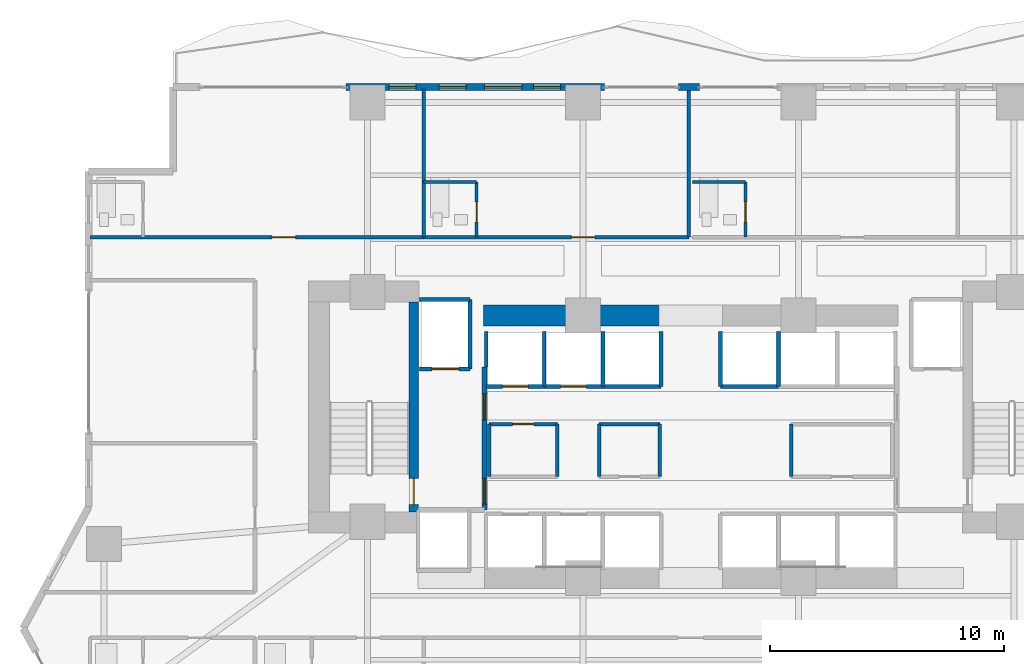
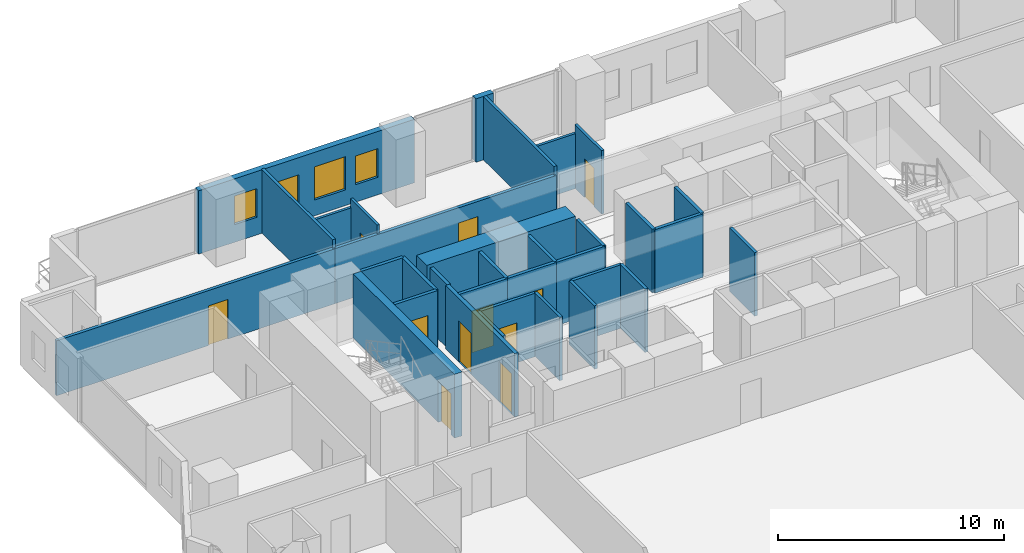
# One storey, part 21 of 28: 33 walls, 11 doors, 4 windows, 15 openings.
"""IFC4 building model written with IfcOpenShell, lengths in metres."""

from ifc_helpers import new_model, si_unit, direction, frame, frame_2d, origin, place, context, subcontext, project, spatial, rectangle, extrude, material, layer, layer_set, type_object, element, fill, save


model = new_model("IFC4")

# Units and contexts
model_context = context("Model", 3, precision=1e-05, world=origin(), true_north=direction((0.0, 1.0)))
body_context = subcontext(model_context, "Body", "Model", "MODEL_VIEW")
ifc_project = project(units=[si_unit("LENGTHUNIT", "METRE"), si_unit("AREAUNIT", "SQUARE_METRE"), si_unit("VOLUMEUNIT", "CUBIC_METRE"), si_unit("PLANEANGLEUNIT", "RADIAN"), si_unit("MASSUNIT", "GRAM", prefix="KILO")], contexts=[model_context])

# Site, building, storey
site_placement = place(None, origin())
site = spatial("IfcSite", under=ifc_project, at=site_placement, CompositionType="ELEMENT")
building_placement = place(site_placement, origin())
building = spatial("IfcBuilding", under=site, at=building_placement, Name="Zuhayl Quay Hotel", CompositionType="ELEMENT")
storey_placement = place(building_placement, frame((0.0, 0.0, 71.39990234375)))
storey = spatial("IfcBuildingStorey", under=building, at=storey_placement, Name="L17", CompositionType="ELEMENT", Elevation=71.39990234375)

# Wall
ifc_material_1 = material(Name="Concrete C70/85", Category="concrete")
ifc_layer_1 = layer(ifc_material_1, 0.89990234375, Name="Concrete C70/85", Category="concrete")
ifc_layer_set_1 = layer_set([ifc_layer_1], Name="Concrete C70/85")
wall_type_1 = type_object("IfcWallType", Name="WL_CORE_900", PredefinedType="SHEAR", material=ifc_layer_set_1)
wall_1_placement = place(storey_placement, frame((-8.85009765625, 13.35009765625, 0.0), z_axis=(0.0, 0.0, 1.0), x_axis=(1.0, 0.0, 0.0)))
element("IfcWall", 1, at=wall_1_placement, inside=storey, type_object=wall_type_1, Name="L17 Core Shear Wall CW_NC_W", PredefinedType="SHEAR", context=body_context, shape_type="SweptSolid", body=[
    extrude(rectangle(XDim=7.60009765625, YDim=0.89990234375, at=frame_2d((3.800048828125, 0.0))), origin(), (0.0, 0.0, 1.0), 3.43017578125),
])

# Wall, openings, windows
ifc_material_2 = material(Name="Precast concrete C45/55", Category="concrete")
ifc_layer_2 = layer(ifc_material_2, 0.300048828125, Name="Precast concrete C45/55", Category="concrete")
ifc_layer_set_2 = layer_set([ifc_layer_2], Name="Precast concrete C45/55")
wall_type_2 = type_object("IfcWallType", Name="WL_EXT_300", PredefinedType="STANDARD", material=ifc_layer_set_2)
wall_2_placement = place(storey_placement, frame((-14.719970703125, 23.10009765625, 0.0), z_axis=(0.0, 0.0, 1.0), x_axis=(1.0, 0.0, 0.0)))
wall_2 = element("IfcWall", 2, at=wall_2_placement, inside=storey, type_object=wall_type_2, Name="L17 Exterior Precast Wall ENV_L17_N_EW2", PredefinedType="STANDARD", context=body_context, shape_type="SweptSolid", body=[
    extrude(rectangle(XDim=11.0400390625, YDim=0.300048828125, at=frame_2d((5.52001953125, 0.0))), origin(), (0.0, 0.0, 1.0), 3.43017578125),
])
opening_1_placement = place(wall_2_placement, frame((5.916015625, 0.0, 0.85009765625)))
opening_1 = element("IfcOpeningElement", 3, at=opening_1_placement, cuts=wall_2, Name="Opening W01", PredefinedType="OPENING", context=body_context, shape_type="SweptSolid", body=[
    extrude(rectangle(XDim=1.60009765625, YDim=1.800048828125, at=frame_2d((0.800048828125, 0.89990234375))), frame((0.0, 0.159912109375, 0.0), z_axis=(0.0, -1.0, 0.0), x_axis=(1.0, 0.0, 0.0)), (0.0, 0.0, 1.0), 0.320068359375),
])
opening_2_placement = place(wall_2_placement, frame((1.8349609375, 0.0, 0.949951171875)))
opening_2 = element("IfcOpeningElement", 4, at=opening_2_placement, cuts=wall_2, Name="Opening W01N", PredefinedType="OPENING", context=body_context, shape_type="SweptSolid", body=[
    extrude(rectangle(XDim=1.14990234375, YDim=1.550048828125, at=frame_2d((0.574951171875, 0.77490234375))), frame((0.0, 0.159912109375, 0.0), z_axis=(0.0, -1.0, 0.0), x_axis=(1.0, 0.0, 0.0)), (0.0, 0.0, 1.0), 0.320068359375),
])
opening_3_placement = place(wall_2_placement, frame((3.97802734375, 0.0, 0.949951171875)))
opening_3 = element("IfcOpeningElement", 5, at=opening_3_placement, cuts=wall_2, Name="Opening W01N", PredefinedType="OPENING", context=body_context, shape_type="SweptSolid", body=[
    extrude(rectangle(XDim=1.14990234375, YDim=1.550048828125, at=frame_2d((0.574951171875, 0.77490234375))), frame((0.0, 0.159912109375, 0.0), z_axis=(0.0, -1.0, 0.0), x_axis=(1.0, 0.0, 0.0)), (0.0, 0.0, 1.0), 0.320068359375),
])
opening_4_placement = place(wall_2_placement, frame((8.01806640625, 0.0, 0.949951171875)))
opening_4 = element("IfcOpeningElement", 6, at=opening_4_placement, cuts=wall_2, Name="Opening W01N", PredefinedType="OPENING", context=body_context, shape_type="SweptSolid", body=[
    extrude(rectangle(XDim=1.14990234375, YDim=1.550048828125, at=frame_2d((0.574951171875, 0.77490234375))), frame((0.0, 0.159912109375, 0.0), z_axis=(0.0, -1.0, 0.0), x_axis=(1.0, 0.0, 0.0)), (0.0, 0.0, 1.0), 0.320068359375),
])
ifc_material_3 = material(Name="Dark Ceramic-Fritted Solar Glass", Category="glass")
window_type_1 = type_object("IfcWindowType", Name="WN_NOTCH_1350", PartitioningType="SINGLE_PANEL", PredefinedType="WINDOW", material=ifc_material_3)
window_1_placement = place(opening_2_placement, origin())
window_1 = element("IfcWindow", 7, at=window_1_placement, inside=storey, type_object=window_type_1, Name="L17 Operable Facade Window 2-1", OverallHeight=1.550048828125, OverallWidth=1.14990234375, PartitioningType="SINGLE_PANEL", PredefinedType="WINDOW", context=body_context, shape_type="SweptSolid", body=[
    extrude(rectangle(XDim=1.14990234375, YDim=1.550048828125, at=frame_2d((0.574951171875, 0.77490234375))), frame((0.0, 0.030029296875, 0.0), z_axis=(0.0, -1.0, 0.0), x_axis=(1.0, 0.0, 0.0)), (0.0, 0.0, 1.0), 0.06005859375),
])
fill(opening_2, window_1)
window_2_placement = place(opening_3_placement, origin())
window_2 = element("IfcWindow", 8, at=window_2_placement, inside=storey, type_object=window_type_1, Name="L17 Operable Facade Window 2-2", OverallHeight=1.550048828125, OverallWidth=1.14990234375, PartitioningType="SINGLE_PANEL", PredefinedType="WINDOW", context=body_context, shape_type="SweptSolid", body=[
    extrude(rectangle(XDim=1.14990234375, YDim=1.550048828125, at=frame_2d((0.574951171875, 0.77490234375))), frame((0.0, 0.030029296875, 0.0), z_axis=(0.0, -1.0, 0.0), x_axis=(1.0, 0.0, 0.0)), (0.0, 0.0, 1.0), 0.06005859375),
])
fill(opening_3, window_2)
window_3_placement = place(opening_4_placement, origin())
window_3 = element("IfcWindow", 9, at=window_3_placement, inside=storey, type_object=window_type_1, Name="L17 Operable Facade Window 2-3", OverallHeight=1.550048828125, OverallWidth=1.14990234375, PartitioningType="SINGLE_PANEL", PredefinedType="WINDOW", context=body_context, shape_type="SweptSolid", body=[
    extrude(rectangle(XDim=1.14990234375, YDim=1.550048828125, at=frame_2d((0.574951171875, 0.77490234375))), frame((0.0, 0.030029296875, 0.0), z_axis=(0.0, -1.0, 0.0), x_axis=(1.0, 0.0, 0.0)), (0.0, 0.0, 1.0), 0.06005859375),
])
fill(opening_4, window_3)
window_type_2 = type_object("IfcWindowType", Name="WN_OPERABLE_1600", PartitioningType="DOUBLE_PANEL_VERTICAL", PredefinedType="WINDOW", material=ifc_material_3)
window_4_placement = place(opening_1_placement, origin())
window_4 = element("IfcWindow", 10, at=window_4_placement, inside=storey, type_object=window_type_2, Name="L17 North Operable Casement Window", OverallHeight=1.800048828125, OverallWidth=1.60009765625, PartitioningType="SINGLE_PANEL", PredefinedType="WINDOW", context=body_context, shape_type="SweptSolid", body=[
    extrude(rectangle(XDim=1.60009765625, YDim=1.800048828125, at=frame_2d((0.800048828125, 0.89990234375))), frame((0.0, 0.030029296875, 0.0), z_axis=(0.0, -1.0, 0.0), x_axis=(1.0, 0.0, 0.0)), (0.0, 0.0, 1.0), 0.06005859375),
])
fill(opening_1, window_4)

# Wall
wall_3_placement = place(storey_placement, frame((-0.530029296875, 23.10009765625, 0.0), z_axis=(0.0, 0.0, 1.0), x_axis=(1.0, 0.0, 0.0)))
element("IfcWall", 11, at=wall_3_placement, inside=storey, type_object=wall_type_2, Name="L17 Exterior Precast Wall ENV_L17_N_EW3", PredefinedType="STANDARD", context=body_context, shape_type="SweptSolid", body=[
    extrude(rectangle(XDim=0.900146484375, YDim=0.300048828125, at=frame_2d((0.4501953125, 0.0))), origin(), (0.0, 0.0, 1.0), 3.43017578125),
])

# Wall, opening, door
ifc_material_4 = material(Name="Acoustic Gypsum Partition STC-58")
ifc_layer_3 = layer(ifc_material_4, 0.14990234375, Name="Acoustic Gypsum Partition STC-58")
ifc_layer_set_3 = layer_set([ifc_layer_3], Name="Acoustic Gypsum Partition STC-58")
wall_type_3 = type_object("IfcWallType", Name="WL_PART_150", PredefinedType="PARTITIONING", material=ifc_layer_set_3)
wall_4_placement = place(storey_placement, frame((-8.610107421875, 8.719970703125, 0.0), z_axis=(0.0, 0.0, 1.0), x_axis=(1.0, 0.0, 0.0)))
wall_4 = element("IfcWall", 12, at=wall_4_placement, inside=storey, type_object=wall_type_3, Name="L17 Partition IW_L17_CORE_HK_N", PredefinedType="PARTITIONING", context=body_context, shape_type="SweptSolid", body=[
    extrude(rectangle(XDim=2.920166015625, YDim=0.14990234375, at=frame_2d((1.4599609375, 0.0))), origin(), (0.0, 0.0, 1.0), 3.43017578125),
])
opening_5_placement = place(wall_4_placement, frame((1.010009765625, 0.0, 0.0)))
opening_5 = element("IfcOpeningElement", 13, at=opening_5_placement, cuts=wall_4, Name="Opening D06", PredefinedType="OPENING", context=body_context, shape_type="SweptSolid", body=[
    extrude(rectangle(XDim=0.89990234375, YDim=2.14990234375, at=frame_2d((0.449951171875, 1.074951171875))), frame((0.0, 0.0849609375, 0.0), z_axis=(0.0, -1.0, 0.0), x_axis=(1.0, 0.0, 0.0)), (0.0, 0.0, 1.0), 0.169921875),
])
ifc_material_5 = material(Name="Steel ASTM A992 Grade 50", Category="steel")
door_type_1 = type_object("IfcDoorType", Name="DR_INT_900", OperationType="NOTDEFINED", PredefinedType="DOOR", material=ifc_material_5)
door_1_placement = place(opening_5_placement, origin())
door_1 = element("IfcDoor", 14, at=door_1_placement, inside=storey, type_object=door_type_1, Name="L17 Core Housekeeping Store Door", OperationType="SINGLE_SWING_RIGHT", OverallHeight=2.14990234375, OverallWidth=0.89990234375, PredefinedType="DOOR", context=body_context, shape_type="SweptSolid", body=[
    extrude(rectangle(XDim=0.89990234375, YDim=2.14990234375, at=frame_2d((0.449951171875, 1.074951171875))), frame((0.0, 0.02490234375, 0.0), z_axis=(0.0, -1.0, 0.0), x_axis=(1.0, 0.0, 0.0)), (0.0, 0.0, 1.0), 0.050048828125),
])
fill(opening_5, door_1)

# Walls
for number, where, z_axis, x_axis, name in (
    (15, (-8.610107421875, 6.47998046875, 0.0), (0.0, 0.0, 1.0), (0.0, 1.0, 0.0), "L17 Partition IW_L17_CORE_HK_W"),
    (16, (-5.68994140625, 6.47998046875, 0.0), (0.0, 0.0, 1.0), (0.0, 1.0, 0.0), "L17 Partition IW_L17_CORE_HK_E"),
):
    element("IfcWall", number, at=place(storey_placement, frame(where, z_axis=z_axis, x_axis=x_axis)), inside=storey, type_object=wall_type_3, Name=name, PredefinedType="PARTITIONING", context=body_context, shape_type="SweptSolid", body=[
        extrude(rectangle(XDim=2.239990234375, YDim=0.14990234375, at=frame_2d((1.1201171875, 0.0))), origin(), (0.0, 0.0, 1.0), 3.43017578125),
    ])
wall_5_placement = place(storey_placement, frame((-3.909912109375, 8.719970703125, 0.0), z_axis=(0.0, 0.0, 1.0), x_axis=(1.0, 0.0, 0.0)))
element("IfcWall", 17, at=wall_5_placement, inside=storey, type_object=wall_type_3, Name="L17 Partition IW_L17_CORE_BC_N", PredefinedType="PARTITIONING", context=body_context, shape_type="SweptSolid", body=[
    extrude(rectangle(XDim=2.58984375, YDim=0.14990234375, at=frame_2d((1.294921875, 0.0))), origin(), (0.0, 0.0, 1.0), 3.43017578125),
])
for number, where, z_axis, x_axis, name in (
    (18, (-3.909912109375, 6.47998046875, 0.0), (0.0, 0.0, 1.0), (0.0, 1.0, 0.0), "L17 Partition IW_L17_CORE_BC_W"),
    (19, (-1.320068359375, 6.47998046875, 0.0), (0.0, 0.0, 1.0), (0.0, 1.0, 0.0), "L17 Partition IW_L17_CORE_BC_E"),
    (20, (4.2900390625, 6.47998046875, 0.0), (0.0, 0.0, 1.0), (0.0, 1.0, 0.0), "L17 Partition IW_L17_CORE_VL_W"),
):
    element("IfcWall", number, at=place(storey_placement, frame(where, z_axis=z_axis, x_axis=x_axis)), inside=storey, type_object=wall_type_3, Name=name, PredefinedType="PARTITIONING", context=body_context, shape_type="SweptSolid", body=[
        extrude(rectangle(XDim=2.239990234375, YDim=0.14990234375, at=frame_2d((1.1201171875, 0.0))), origin(), (0.0, 0.0, 1.0), 3.43017578125),
    ])
for number, where, z_axis, x_axis, name in (
    (21, (-11.39990234375, 16.699951171875, 0.0), (0.0, 0.0, 1.0), (0.0, 1.0, 0.0), "L17 Partition IW_L17_NU01_E"),
    (22, (-0.080078125, 16.699951171875, 0.0), (0.0, 0.0, 1.0), (0.0, 1.0, 0.0), "L17 Partition IW_L17_NU02A_E"),
):
    element("IfcWall", number, at=place(storey_placement, frame(where, z_axis=z_axis, x_axis=x_axis)), inside=storey, type_object=wall_type_3, Name=name, PredefinedType="PARTITIONING", context=body_context, shape_type="SweptSolid", body=[
        extrude(rectangle(XDim=6.320068359375, YDim=0.14990234375, at=frame_2d((3.16015625, 0.0))), origin(), (0.0, 0.0, 1.0), 3.43017578125),
    ])

# Wall, opening, door
ifc_layer_4 = layer(ifc_material_4, 0.159912109375, Name="Acoustic Gypsum Partition STC-58")
ifc_layer_set_4 = layer_set([ifc_layer_4], Name="Acoustic Gypsum Partition STC-58")
wall_type_4 = type_object("IfcWallType", Name="WL_PART_CORR_160", PredefinedType="PARTITIONING", material=ifc_layer_set_4)
wall_6_placement = place(storey_placement, frame((-25.639892578125, 16.699951171875, 0.0), z_axis=(0.0, 0.0, 1.0), x_axis=(1.0, 0.0, 0.0)))
wall_6 = element("IfcWall", 23, at=wall_6_placement, inside=storey, type_object=wall_type_4, Name="L17 Partition IW_L17_NU01_COR", PredefinedType="PARTITIONING", context=body_context, shape_type="SweptSolid", body=[
    extrude(rectangle(XDim=14.239990234375, YDim=0.159912109375, at=frame_2d((7.1201171875, 0.0))), origin(), (0.0, 0.0, 1.0), 2.97314453125),
])
opening_6_placement = place(wall_6_placement, frame((7.77001953125, 0.0, 0.0)))
opening_6 = element("IfcOpeningElement", 24, at=opening_6_placement, cuts=wall_6, Name="Opening D03L", PredefinedType="OPENING", context=body_context, shape_type="SweptSolid", body=[
    extrude(rectangle(XDim=1.0, YDim=2.14990234375, at=frame_2d((0.5, 1.074951171875))), frame((0.0, 0.08984375, 0.0), z_axis=(0.0, -1.0, 0.0), x_axis=(1.0, 0.0, 0.0)), (0.0, 0.0, 1.0), 0.179931640625),
])
ifc_material_6 = material(Name="Solid Walnut Acoustic Fire Door")
door_type_2 = type_object("IfcDoorType", Name="DR_SUITE_1000", OperationType="NOTDEFINED", PredefinedType="DOOR", material=ifc_material_6)
door_2_placement = place(opening_6_placement, origin())
door_2 = element("IfcDoor", 25, at=door_2_placement, inside=storey, type_object=door_type_2, Name="L17 Deluxe Gulf Guest Room L17-01 Entrance Door", OperationType="SINGLE_SWING_RIGHT", OverallHeight=2.14990234375, OverallWidth=1.0, PredefinedType="DOOR", context=body_context, shape_type="SweptSolid", body=[
    extrude(rectangle(XDim=1.0, YDim=2.14990234375, at=frame_2d((0.5, 1.074951171875))), frame((0.0, 0.02490234375, 0.0), z_axis=(0.0, -1.0, 0.0), x_axis=(1.0, 0.0, 0.0)), (0.0, 0.0, 1.0), 0.050048828125),
])
fill(opening_6, door_2)

wall_7_placement = place(storey_placement, frame((-11.39990234375, 16.699951171875, 0.0), z_axis=(0.0, 0.0, 1.0), x_axis=(1.0, 0.0, 0.0)))
wall_7 = element("IfcWall", 26, at=wall_7_placement, inside=storey, type_object=wall_type_4, Name="L17 Partition IW_L17_NU02A_COR", PredefinedType="PARTITIONING", context=body_context, shape_type="SweptSolid", body=[
    extrude(rectangle(XDim=11.31982421875, YDim=0.159912109375, at=frame_2d((5.659912109375, 0.0))), origin(), (0.0, 0.0, 1.0), 2.97314453125),
])
opening_7_placement = place(wall_7_placement, frame((6.31005859375, 0.0, 0.0)))
opening_7 = element("IfcOpeningElement", 27, at=opening_7_placement, cuts=wall_7, Name="Opening D03L", PredefinedType="OPENING", context=body_context, shape_type="SweptSolid", body=[
    extrude(rectangle(XDim=1.0, YDim=2.14990234375, at=frame_2d((0.5, 1.074951171875))), frame((0.0, 0.08984375, 0.0), z_axis=(0.0, -1.0, 0.0), x_axis=(1.0, 0.0, 0.0)), (0.0, 0.0, 1.0), 0.179931640625),
])
door_3_placement = place(opening_7_placement, origin())
door_3 = element("IfcDoor", 28, at=door_3_placement, inside=storey, type_object=door_type_2, Name="L17 Deluxe Gulf Guest Room L17-02A Entrance Door", OperationType="SINGLE_SWING_RIGHT", OverallHeight=2.14990234375, OverallWidth=1.0, PredefinedType="DOOR", context=body_context, shape_type="SweptSolid", body=[
    extrude(rectangle(XDim=1.0, YDim=2.14990234375, at=frame_2d((0.5, 1.074951171875))), frame((0.0, 0.02490234375, 0.0), z_axis=(0.0, -1.0, 0.0), x_axis=(1.0, 0.0, 0.0)), (0.0, 0.0, 1.0), 0.050048828125),
])
fill(opening_7, door_3)

ifc_material_7 = material(Name="Moisture-Resistant Sanitarychase Gypsum")
ifc_layer_5 = layer(ifc_material_7, 0.135009765625, Name="Moisture-Resistant Sanitarychase Gypsum")
ifc_layer_set_5 = layer_set([ifc_layer_5], Name="Moisture-Resistant Sanitarychase Gypsum")
wall_type_5 = type_object("IfcWallType", Name="WL_PART_PLUMB_150", PredefinedType="PLUMBINGWALL", material=ifc_layer_set_5)
wall_8_placement = place(storey_placement, frame((-9.139892578125, 16.699951171875, 0.0), z_axis=(0.0, 0.0, 1.0), x_axis=(0.0, 1.0, 0.0)))
wall_8 = element("IfcWall", 29, at=wall_8_placement, inside=storey, type_object=wall_type_5, Name="L17 Partition IW_L17_NU02A_BE", PredefinedType="PLUMBINGWALL", context=body_context, shape_type="SweptSolid", body=[
    extrude(rectangle(XDim=2.360107421875, YDim=0.135009765625, at=frame_2d((1.18017578125, 0.0))), origin(), (0.0, 0.0, 1.0), 3.43017578125),
])
opening_8_placement = place(wall_8_placement, frame((0.64990234375, 0.0, 0.0)))
opening_8 = element("IfcOpeningElement", 30, at=opening_8_placement, cuts=wall_8, Name="Opening D04", PredefinedType="OPENING", context=body_context, shape_type="SweptSolid", body=[
    extrude(rectangle(XDim=0.85009765625, YDim=2.10009765625, at=frame_2d((0.425048828125, 1.050048828125))), frame((0.0, 0.077392578125, 0.0), z_axis=(0.0, -1.0, 0.0), x_axis=(1.0, 0.0, 0.0)), (0.0, 0.0, 1.0), 0.155029296875),
])
ifc_material_8 = material(Name="Moisture-Resistant Walnut Veneer")
door_type_3 = type_object("IfcDoorType", Name="DR_BATH_850", OperationType="NOTDEFINED", PredefinedType="DOOR", material=ifc_material_8)
door_4_placement = place(opening_8_placement, origin())
door_4 = element("IfcDoor", 31, at=door_4_placement, inside=storey, type_object=door_type_3, Name="L17 Deluxe Gulf Guest Room L17-02A En-Suite Door", OperationType="SINGLE_SWING_LEFT", OverallHeight=2.10009765625, OverallWidth=0.85009765625, PredefinedType="DOOR", context=body_context, shape_type="SweptSolid", body=[
    extrude(rectangle(XDim=0.85009765625, YDim=2.10009765625, at=frame_2d((0.425048828125, 1.050048828125))), frame((0.0, 0.02490234375, 0.0), z_axis=(0.0, -1.0, 0.0), x_axis=(1.0, 0.0, 0.0)), (0.0, 0.0, 1.0), 0.050048828125),
])
fill(opening_8, door_4)

wall_9_placement = place(storey_placement, frame((2.340087890625, 16.699951171875, 0.0), z_axis=(0.0, 0.0, 1.0), x_axis=(0.0, 1.0, 0.0)))
wall_9 = element("IfcWall", 32, at=wall_9_placement, inside=storey, type_object=wall_type_5, Name="L17 Partition IW_L17_NU02B_BE", PredefinedType="PLUMBINGWALL", context=body_context, shape_type="SweptSolid", body=[
    extrude(rectangle(XDim=2.360107421875, YDim=0.135009765625, at=frame_2d((1.18017578125, 0.0))), origin(), (0.0, 0.0, 1.0), 3.43017578125),
])
opening_9_placement = place(wall_9_placement, frame((0.64990234375, 0.0, 0.0)))
opening_9 = element("IfcOpeningElement", 33, at=opening_9_placement, cuts=wall_9, Name="Opening D04", PredefinedType="OPENING", context=body_context, shape_type="SweptSolid", body=[
    extrude(rectangle(XDim=0.85009765625, YDim=2.10009765625, at=frame_2d((0.425048828125, 1.050048828125))), frame((0.0, 0.077392578125, 0.0), z_axis=(0.0, -1.0, 0.0), x_axis=(1.0, 0.0, 0.0)), (0.0, 0.0, 1.0), 0.155029296875),
])
door_5_placement = place(opening_9_placement, origin())
door_5 = element("IfcDoor", 34, at=door_5_placement, inside=storey, type_object=door_type_3, Name="L17 Deluxe Gulf Guest Room L17-02B En-Suite Door", OperationType="SINGLE_SWING_LEFT", OverallHeight=2.10009765625, OverallWidth=0.85009765625, PredefinedType="DOOR", context=body_context, shape_type="SweptSolid", body=[
    extrude(rectangle(XDim=0.85009765625, YDim=2.10009765625, at=frame_2d((0.425048828125, 1.050048828125))), frame((0.0, 0.02490234375, 0.0), z_axis=(0.0, -1.0, 0.0), x_axis=(1.0, 0.0, 0.0)), (0.0, 0.0, 1.0), 0.050048828125),
])
fill(opening_9, door_5)

# Walls
for number, where, z_axis, x_axis, name in (
    (35, (-11.39990234375, 19.06005859375, 0.0), (0.0, 0.0, 1.0), (1.0, 0.0, 0.0), "L17 Partition IW_L17_NU02A_BN"),
    (36, (0.080078125, 19.06005859375, 0.0), (0.0, 0.0, 1.0), (1.0, 0.0, 0.0), "L17 Partition IW_L17_NU02B_BN"),
):
    element("IfcWall", number, at=place(storey_placement, frame(where, z_axis=z_axis, x_axis=x_axis)), inside=storey, type_object=wall_type_5, Name=name, PredefinedType="PLUMBINGWALL", context=body_context, shape_type="SweptSolid", body=[
        extrude(rectangle(XDim=2.260009765625, YDim=0.135009765625, at=frame_2d((1.1298828125, 0.0))), origin(), (0.0, 0.0, 1.0), 2.97314453125),
    ])

# Wall, opening, door
ifc_material_9 = material(Name="Gypsum Fireboard Assembly EI-90")
ifc_layer_6 = layer(ifc_material_9, 0.1650390625, Name="Gypsum Fireboard Assembly EI-90")
ifc_layer_set_6 = layer_set([ifc_layer_6], Name="Gypsum Fireboard Assembly EI-90")
wall_type_6 = type_object("IfcWallType", Name="WL_PART_SHAFT_160", PredefinedType="PARTITIONING", material=ifc_layer_set_6)
wall_10_placement = place(storey_placement, frame((-11.580078125, 11.070068359375, 0.0), z_axis=(0.0, 0.0, 1.0), x_axis=(1.0, 0.0, 0.0)))
wall_10 = element("IfcWall", 37, at=wall_10_placement, inside=storey, type_object=wall_type_6, Name="L17 Partition IW_L17_SH_FL1_F", PredefinedType="PARTITIONING", context=body_context, shape_type="SweptSolid", body=[
    extrude(rectangle(XDim=2.16015625, YDim=0.1650390625, at=frame_2d((1.080078125, 0.0))), origin(), (0.0, 0.0, 1.0), 3.43017578125),
])
opening_10_placement = place(wall_10_placement, frame((0.530029296875, 0.0, 0.0)))
opening_10 = element("IfcOpeningElement", 38, at=opening_10_placement, cuts=wall_10, Name="Opening LD2", PredefinedType="OPENING", context=body_context, shape_type="SweptSolid", body=[
    extrude(rectangle(XDim=1.14990234375, YDim=2.25, at=frame_2d((0.574951171875, 1.125))), frame((0.0, 0.092529296875, 0.0), z_axis=(0.0, -1.0, 0.0), x_axis=(1.0, 0.0, 0.0)), (0.0, 0.0, 1.0), 0.18505859375),
])
ifc_material_10 = material(Name="Brushed Stainless Steel", Category="steel")
door_type_4 = type_object("IfcDoorType", Name="DR_LIFT_FF_1100", OperationType="SLIDING_TO_LEFT", PredefinedType="DOOR", material=ifc_material_10)
door_6_placement = place(opening_10_placement, origin())
door_6 = element("IfcDoor", 39, at=door_6_placement, inside=storey, type_object=door_type_4, Name="L17 Lift FL1 Sliding Landing Door", OperationType="SLIDING_TO_LEFT", OverallHeight=2.25, OverallWidth=1.14990234375, PredefinedType="DOOR", context=body_context, shape_type="SweptSolid", body=[
    extrude(rectangle(XDim=1.14990234375, YDim=2.25, at=frame_2d((0.574951171875, 1.125))), frame((0.0, 0.02490234375, 0.0), z_axis=(0.0, -1.0, 0.0), x_axis=(1.0, 0.0, 0.0)), (0.0, 0.0, 1.0), 0.050048828125),
])
fill(opening_10, door_6)

wall_11_placement = place(storey_placement, frame((-8.72998046875, 10.320068359375, 0.0), z_axis=(0.0, 0.0, 1.0), x_axis=(1.0, 0.0, 0.0)))
wall_11 = element("IfcWall", 40, at=wall_11_placement, inside=storey, type_object=wall_type_6, Name="L17 Partition IW_L17_SH_LP3_F", PredefinedType="PARTITIONING", context=body_context, shape_type="SweptSolid", body=[
    extrude(rectangle(XDim=2.47998046875, YDim=0.1650390625, at=frame_2d((1.239990234375, 0.0))), origin(), (0.0, 0.0, 1.0), 3.43017578125),
])
opening_11_placement = place(wall_11_placement, frame((0.68994140625, 0.0, 0.0)))
opening_11 = element("IfcOpeningElement", 41, at=opening_11_placement, cuts=wall_11, Name="Opening LD1", PredefinedType="OPENING", context=body_context, shape_type="SweptSolid", body=[
    extrude(rectangle(XDim=1.10009765625, YDim=2.25, at=frame_2d((0.550048828125, 1.125))), frame((0.0, 0.092529296875, 0.0), z_axis=(0.0, -1.0, 0.0), x_axis=(1.0, 0.0, 0.0)), (0.0, 0.0, 1.0), 0.18505859375),
])
door_type_5 = type_object("IfcDoorType", Name="DR_LIFT_PASS_1100", OperationType="SLIDING_TO_LEFT", PredefinedType="DOOR", material=ifc_material_10)
door_7_placement = place(opening_11_placement, origin())
door_7 = element("IfcDoor", 42, at=door_7_placement, inside=storey, type_object=door_type_5, Name="L17 Lift LP3 Sliding Landing Door", OperationType="SLIDING_TO_LEFT", OverallHeight=2.25, OverallWidth=1.10009765625, PredefinedType="DOOR", context=body_context, shape_type="SweptSolid", body=[
    extrude(rectangle(XDim=1.10009765625, YDim=2.25, at=frame_2d((0.550048828125, 1.125))), frame((0.0, 0.02490234375, 0.0), z_axis=(0.0, -1.0, 0.0), x_axis=(1.0, 0.0, 0.0)), (0.0, 0.0, 1.0), 0.050048828125),
])
fill(opening_11, door_7)

wall_12_placement = place(storey_placement, frame((-6.25, 10.320068359375, 0.0), z_axis=(0.0, 0.0, 1.0), x_axis=(1.0, 0.0, 0.0)))
wall_12 = element("IfcWall", 43, at=wall_12_placement, inside=storey, type_object=wall_type_6, Name="L17 Partition IW_L17_SH_LP4_F", PredefinedType="PARTITIONING", context=body_context, shape_type="SweptSolid", body=[
    extrude(rectangle(XDim=2.5, YDim=0.1650390625, at=frame_2d((1.25, 0.0))), origin(), (0.0, 0.0, 1.0), 3.43017578125),
])
opening_12_placement = place(wall_12_placement, frame((0.699951171875, 0.0, 0.0)))
opening_12 = element("IfcOpeningElement", 44, at=opening_12_placement, cuts=wall_12, Name="Opening LD1", PredefinedType="OPENING", context=body_context, shape_type="SweptSolid", body=[
    extrude(rectangle(XDim=1.10009765625, YDim=2.25, at=frame_2d((0.550048828125, 1.125))), frame((0.0, 0.092529296875, 0.0), z_axis=(0.0, -1.0, 0.0), x_axis=(1.0, 0.0, 0.0)), (0.0, 0.0, 1.0), 0.18505859375),
])
door_8_placement = place(opening_12_placement, origin())
door_8 = element("IfcDoor", 45, at=door_8_placement, inside=storey, type_object=door_type_5, Name="L17 Lift LP4 Sliding Landing Door", OperationType="SLIDING_TO_LEFT", OverallHeight=2.25, OverallWidth=1.10009765625, PredefinedType="DOOR", context=body_context, shape_type="SweptSolid", body=[
    extrude(rectangle(XDim=1.10009765625, YDim=2.25, at=frame_2d((0.550048828125, 1.125))), frame((0.0, 0.02490234375, 0.0), z_axis=(0.0, -1.0, 0.0), x_axis=(1.0, 0.0, 0.0)), (0.0, 0.0, 1.0), 0.050048828125),
])
fill(opening_12, door_8)

# Walls
wall_13_placement = place(storey_placement, frame((-9.419921875, 11.070068359375, 0.0), z_axis=(0.0, 0.0, 1.0), x_axis=(0.0, 1.0, 0.0)))
element("IfcWall", 46, at=wall_13_placement, inside=storey, type_object=wall_type_6, Name="L17 Partition IW_L17_SH_FL1_E", PredefinedType="PARTITIONING", context=body_context, shape_type="SweptSolid", body=[
    extrude(rectangle(XDim=2.9599609375, YDim=0.1650390625, at=frame_2d((1.47998046875, 0.0))), origin(), (0.0, 0.0, 1.0), 3.43017578125),
])
wall_14_placement = place(storey_placement, frame((-11.580078125, 14.030029296875, 0.0), z_axis=(0.0, 0.0, 1.0), x_axis=(1.0, 0.0, 0.0)))
element("IfcWall", 47, at=wall_14_placement, inside=storey, type_object=wall_type_6, Name="L17 Partition IW_L17_SH_FL1_B", PredefinedType="PARTITIONING", context=body_context, shape_type="SweptSolid", body=[
    extrude(rectangle(XDim=2.16015625, YDim=0.1650390625, at=frame_2d((1.080078125, 0.0))), origin(), (0.0, 0.0, 1.0), 3.43017578125),
])
wall_15_placement = place(storey_placement, frame((-8.72998046875, 11.14990234375, 0.0), z_axis=(0.0, 0.0, 1.0), x_axis=(0.0, 1.0, 0.0)))
element("IfcWall", 48, at=wall_15_placement, inside=storey, type_object=wall_type_6, Name="L17 Partition IW_L17_SH_LP3_W", PredefinedType="PARTITIONING", context=body_context, shape_type="SweptSolid", body=[
    extrude(rectangle(XDim=1.530029296875, YDim=0.1650390625, at=frame_2d((0.76513671875, 0.0))), origin(), (0.0, 0.0, 1.0), 3.43017578125),
])
for number, where, z_axis, x_axis, name in (
    (49, (-6.25, 10.320068359375, 0.0), (0.0, 0.0, 1.0), (0.0, 1.0, 0.0), "L17 Partition IW_L17_SH_LP3_E"),
    (50, (-3.75, 10.320068359375, 0.0), (0.0, 0.0, 1.0), (0.0, 1.0, 0.0), "L17 Partition IW_L17_SH_LP4_E"),
):
    element("IfcWall", number, at=place(storey_placement, frame(where, z_axis=z_axis, x_axis=x_axis)), inside=storey, type_object=wall_type_6, Name=name, PredefinedType="PARTITIONING", context=body_context, shape_type="SweptSolid", body=[
        extrude(rectangle(XDim=2.35986328125, YDim=0.1650390625, at=frame_2d((1.179931640625, 0.0))), origin(), (0.0, 0.0, 1.0), 3.43017578125),
    ])
wall_16_placement = place(storey_placement, frame((-3.75, 10.320068359375, 0.0), z_axis=(0.0, 0.0, 1.0), x_axis=(1.0, 0.0, 0.0)))
element("IfcWall", 51, at=wall_16_placement, inside=storey, type_object=wall_type_6, Name="L17 Partition IW_L17_SH_MP3_F", PredefinedType="PARTITIONING", context=body_context, shape_type="SweptSolid", body=[
    extrude(rectangle(XDim=2.47998046875, YDim=0.1650390625, at=frame_2d((1.239990234375, 0.0))), origin(), (0.0, 0.0, 1.0), 3.43017578125),
])
wall_17_placement = place(storey_placement, frame((-1.27001953125, 10.320068359375, 0.0), z_axis=(0.0, 0.0, 1.0), x_axis=(0.0, 1.0, 0.0)))
element("IfcWall", 52, at=wall_17_placement, inside=storey, type_object=wall_type_6, Name="L17 Partition IW_L17_SH_MP3_E", PredefinedType="PARTITIONING", context=body_context, shape_type="SweptSolid", body=[
    extrude(rectangle(XDim=2.35986328125, YDim=0.1650390625, at=frame_2d((1.179931640625, 0.0))), origin(), (0.0, 0.0, 1.0), 3.43017578125),
])
wall_18_placement = place(storey_placement, frame((1.27001953125, 10.320068359375, 0.0), z_axis=(0.0, 0.0, 1.0), x_axis=(1.0, 0.0, 0.0)))
element("IfcWall", 53, at=wall_18_placement, inside=storey, type_object=wall_type_6, Name="L17 Partition IW_L17_SH_MP4_F", PredefinedType="PARTITIONING", context=body_context, shape_type="SweptSolid", body=[
    extrude(rectangle(XDim=2.47998046875, YDim=0.1650390625, at=frame_2d((1.239990234375, 0.0))), origin(), (0.0, 0.0, 1.0), 3.43017578125),
])
for number, where, z_axis, x_axis, name in (
    (54, (1.27001953125, 10.320068359375, 0.0), (0.0, 0.0, 1.0), (0.0, 1.0, 0.0), "L17 Partition IW_L17_SH_MP4_W"),
    (55, (3.75, 10.320068359375, 0.0), (0.0, 0.0, 1.0), (0.0, 1.0, 0.0), "L17 Partition IW_L17_SH_MP4_E"),
):
    element("IfcWall", number, at=place(storey_placement, frame(where, z_axis=z_axis, x_axis=x_axis)), inside=storey, type_object=wall_type_6, Name=name, PredefinedType="PARTITIONING", context=body_context, shape_type="SweptSolid", body=[
        extrude(rectangle(XDim=2.35986328125, YDim=0.1650390625, at=frame_2d((1.179931640625, 0.0))), origin(), (0.0, 0.0, 1.0), 3.43017578125),
    ])

# Wall, openings, doors
ifc_material_11 = material(Name="Gypsum Fireboard Assembly EI-120")
ifc_layer_7 = layer(ifc_material_11, 0.199951171875, Name="Gypsum Fireboard Assembly EI-120")
ifc_layer_set_7 = layer_set([ifc_layer_7], Name="Gypsum Fireboard Assembly EI-120")
wall_type_7 = type_object("IfcWallType", Name="WL_PART_SHAFT_200", PredefinedType="PARTITIONING", material=ifc_layer_set_7)
wall_19_placement = place(storey_placement, frame((-8.800048828125, 5.050048828125, 0.0), z_axis=(0.0, 0.0, 1.0), x_axis=(0.0, 1.0, 0.0)))
wall_19 = element("IfcWall", 56, at=wall_19_placement, inside=storey, type_object=wall_type_7, Name="L17 Partition IW_L17_FSAE_W_E", PredefinedType="PARTITIONING", context=body_context, shape_type="SweptSolid", body=[
    extrude(rectangle(XDim=6.099853515625, YDim=0.199951171875, at=frame_2d((3.0498046875, 0.0))), origin(), (0.0, 0.0, 1.0), 3.43017578125),
])
opening_13_placement = place(wall_19_placement, frame((0.25, 0.0, 0.0)))
opening_13 = element("IfcOpeningElement", 57, at=opening_13_placement, cuts=wall_19, Name="Opening D02", PredefinedType="OPENING", context=body_context, shape_type="SweptSolid", body=[
    extrude(rectangle(XDim=1.10009765625, YDim=2.199951171875, at=frame_2d((0.550048828125, 1.10009765625))), frame((0.0, 0.10986328125, 0.0), z_axis=(0.0, -1.0, 0.0), x_axis=(1.0, 0.0, 0.0)), (0.0, 0.0, 1.0), 0.219970703125),
])
opening_14_placement = place(wall_19_placement, frame((3.85009765625, 0.0, 0.0)))
opening_14 = element("IfcOpeningElement", 58, at=opening_14_placement, cuts=wall_19, Name="Opening D02", PredefinedType="OPENING", context=body_context, shape_type="SweptSolid", body=[
    extrude(rectangle(XDim=1.10009765625, YDim=2.199951171875, at=frame_2d((0.550048828125, 1.10009765625))), frame((0.0, 0.10986328125, 0.0), z_axis=(0.0, -1.0, 0.0), x_axis=(1.0, 0.0, 0.0)), (0.0, 0.0, 1.0), 0.219970703125),
])
door_type_6 = type_object("IfcDoorType", Name="DR_FIRE_90_1100", OperationType="NOTDEFINED", PredefinedType="DOOR", material=ifc_material_5)
door_9_placement = place(opening_13_placement, origin())
door_9 = element("IfcDoor", 59, at=door_9_placement, inside=storey, type_object=door_type_6, Name="L17 FSAE Lobby West South Entry Door", OperationType="SINGLE_SWING_RIGHT", OverallHeight=2.199951171875, OverallWidth=1.10009765625, PredefinedType="DOOR", context=body_context, shape_type="SweptSolid", body=[
    extrude(rectangle(XDim=1.10009765625, YDim=2.199951171875, at=frame_2d((0.550048828125, 1.10009765625))), frame((0.0, 0.02490234375, 0.0), z_axis=(0.0, -1.0, 0.0), x_axis=(1.0, 0.0, 0.0)), (0.0, 0.0, 1.0), 0.050048828125),
])
fill(opening_13, door_9)
door_10_placement = place(opening_14_placement, origin())
door_10 = element("IfcDoor", 60, at=door_10_placement, inside=storey, type_object=door_type_6, Name="L17 FSAE Lobby West North Entry Door", OperationType="SINGLE_SWING_LEFT", OverallHeight=2.199951171875, OverallWidth=1.10009765625, PredefinedType="DOOR", context=body_context, shape_type="SweptSolid", body=[
    extrude(rectangle(XDim=1.10009765625, YDim=2.199951171875, at=frame_2d((0.550048828125, 1.10009765625))), frame((0.0, 0.02490234375, 0.0), z_axis=(0.0, -1.0, 0.0), x_axis=(1.0, 0.0, 0.0)), (0.0, 0.0, 1.0), 0.050048828125),
])
fill(opening_14, door_10)

# Wall, opening, door
ifc_material_12 = material(Name="Concrete C60/75", Category="concrete")
ifc_layer_8 = layer(ifc_material_12, 0.39990234375, Name="Concrete C60/75", Category="concrete")
ifc_layer_set_8 = layer_set([ifc_layer_8], Name="Concrete C60/75")
wall_type_8 = type_object("IfcWallType", Name="WL_STAIR_400", PredefinedType="SHEAR", material=ifc_layer_set_8)
wall_20_placement = place(storey_placement, frame((-11.820068359375, 4.969970703125, 0.0), z_axis=(0.0, 0.0, 1.0), x_axis=(0.0, 1.0, 0.0)))
wall_20 = element("IfcWall", 61, at=wall_20_placement, inside=storey, type_object=wall_type_8, Name="L17 Core Shear Wall SW_ST1", PredefinedType="SHEAR", context=body_context, shape_type="SweptSolid", body=[
    extrude(rectangle(XDim=8.9599609375, YDim=0.39990234375, at=frame_2d((4.47998046875, 0.0))), origin(), (0.0, 0.0, 1.0), 3.460205078125),
])
opening_15_placement = place(wall_20_placement, frame((0.31005859375, 0.0, 0.0)))
opening_15 = element("IfcOpeningElement", 62, at=opening_15_placement, cuts=wall_20, Name="Opening D01", PredefinedType="OPENING", context=body_context, shape_type="SweptSolid", body=[
    extrude(rectangle(XDim=1.1201171875, YDim=2.219970703125, at=frame_2d((0.56005859375, 1.10986328125))), frame((0.0, 0.2099609375, 0.0), z_axis=(0.0, -1.0, 0.0), x_axis=(1.0, 0.0, 0.0)), (0.0, 0.0, 1.0), 0.419921875),
])
door_type_7 = type_object("IfcDoorType", Name="DR_STAIR_90_1100", OperationType="NOTDEFINED", PredefinedType="DOOR", material=ifc_material_5)
door_11_placement = place(opening_15_placement, origin())
door_11 = element("IfcDoor", 63, at=door_11_placement, inside=storey, type_object=door_type_7, Name="L17 Smokeproof Exit Stair ST1 Door", OperationType="SINGLE_SWING_LEFT", OverallHeight=2.219970703125, OverallWidth=1.1201171875, PredefinedType="DOOR", context=body_context, shape_type="SweptSolid", body=[
    extrude(rectangle(XDim=1.1201171875, YDim=2.219970703125, at=frame_2d((0.56005859375, 1.10986328125))), frame((0.0, 0.02490234375, 0.0), z_axis=(0.0, -1.0, 0.0), x_axis=(1.0, 0.0, 0.0)), (0.0, 0.0, 1.0), 0.050048828125),
])
fill(opening_15, door_11)

save(model, "model.ifc")
